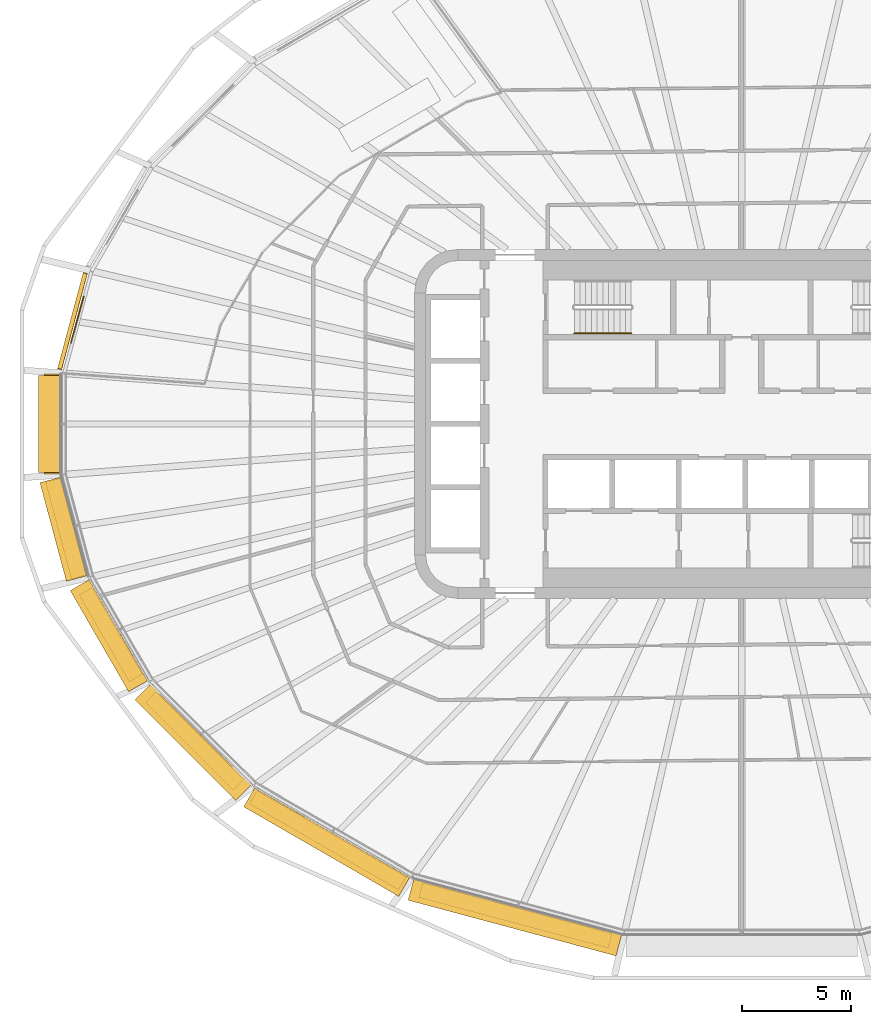
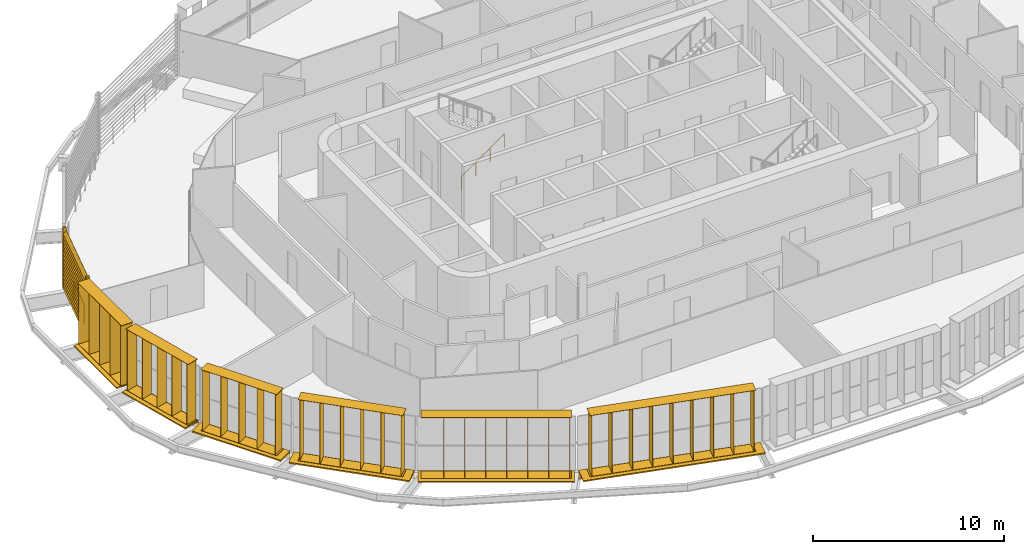
# One storey, part 18 of 23: 13 shading devices, 2 railings.
"""IFC4 building model written with IfcOpenShell, lengths in metres."""

from ifc_helpers import new_model, si_unit, direction, frame, origin, origin_2d, place, context, subcontext, project, spatial, rectangle, circle, extrude, material, type_object, element, save


model = new_model("IFC4")

# Units and contexts
model_context = context("Model", 3, precision=1e-05, world=origin(), true_north=direction((0.0, 1.0)))
body_context = subcontext(model_context, "Body", "Model", "MODEL_VIEW")
ifc_project = project(units=[si_unit("LENGTHUNIT", "METRE"), si_unit("AREAUNIT", "SQUARE_METRE"), si_unit("VOLUMEUNIT", "CUBIC_METRE"), si_unit("PLANEANGLEUNIT", "RADIAN"), si_unit("MASSUNIT", "GRAM", prefix="KILO")], contexts=[model_context])

# Site, building, storey
site_placement = place(None, origin())
site = spatial("IfcSite", under=ifc_project, at=site_placement, CompositionType="ELEMENT")
building_placement = place(site_placement, origin())
building = spatial("IfcBuilding", under=site, at=building_placement, Name="Sahrelin Media Tower", CompositionType="ELEMENT")
storey_placement = place(building_placement, frame((0.0, 0.0, 169.60009765625)))
storey = spatial("IfcBuildingStorey", under=building, at=storey_placement, Name="L35", CompositionType="ELEMENT", Elevation=169.60009765625)

# Shading devices
ifc_material_1 = material(Name="Champagne anodised aluminium 6063-T6", Category="aluminium")
shading_device_type_1 = type_object("IfcShadingDeviceType", Name="Fin cassette", PredefinedType="USERDEFINED", material=ifc_material_1)
placement_1 = place(storey_placement, frame((-31.216552734375, 0.0, 0.0), z_axis=(0.0, 0.0, 1.0), x_axis=(0.0, 1.0, 0.0)))
element("IfcShadingDevice", 1, at=placement_1, inside=storey, type_object=shading_device_type_1, Name="L35:FIN:L35-12", ObjectType="FIN", PredefinedType="USERDEFINED", context=body_context, shape_type="SweptSolid", body=[
    extrude(rectangle(XDim=4.60009765625, YDim=0.699951171875, at=origin_2d()), frame((0.0, 0.419921875, 0.0)), (0.0, 0.0, 1.0), 0.02001953125),
    extrude(rectangle(XDim=4.60009765625, YDim=0.699951171875, at=origin_2d()), frame((0.0, 0.419921875, 3.89990234375)), (0.0, 0.0, 1.0), 0.02001953125),
    extrude(rectangle(XDim=0.02001953125, YDim=0.699951171875, at=origin_2d()), frame((-2.199951171875, 0.419921875, 0.010009765625), z_axis=(0.0, 0.0, 1.0), x_axis=(1.0, 0.0, 0.0)), (0.0, 0.0, 1.0), 3.89990234375),
    extrude(rectangle(XDim=0.02001953125, YDim=0.699951171875, at=origin_2d()), frame((-1.10009765625, 0.419921875, 0.010009765625), z_axis=(0.0, 0.0, 1.0), x_axis=(1.0, 0.0, 0.0)), (0.0, 0.0, 1.0), 3.89990234375),
    extrude(rectangle(XDim=0.02001953125, YDim=0.699951171875, at=origin_2d()), frame((0.0, 0.419921875, 0.010009765625), z_axis=(0.0, 0.0, 1.0), x_axis=(1.0, 0.0, 0.0)), (0.0, 0.0, 1.0), 3.89990234375),
    extrude(rectangle(XDim=0.02001953125, YDim=0.699951171875, at=origin_2d()), frame((1.10009765625, 0.419921875, 0.010009765625), z_axis=(0.0, 0.0, 1.0), x_axis=(1.0, 0.0, 0.0)), (0.0, 0.0, 1.0), 3.89990234375),
    extrude(rectangle(XDim=0.02001953125, YDim=0.699951171875, at=origin_2d()), frame((2.199951171875, 0.419921875, 0.010009765625), z_axis=(0.0, 0.0, 1.0), x_axis=(1.0, 0.0, 0.0)), (0.0, 0.0, 1.0), 3.89990234375),
])
placement_2 = place(storey_placement, frame((-30.585205078125, -4.6884765625, 0.0), z_axis=(0.0, 0.0, 1.0), x_axis=(-0.258807731996, 0.965928857556, 0.0)))
element("IfcShadingDevice", 2, at=placement_2, inside=storey, type_object=shading_device_type_1, Name="L35:FIN:L35-13", ObjectType="FIN", PredefinedType="USERDEFINED", context=body_context, shape_type="SweptSolid", body=[
    extrude(rectangle(XDim=4.60009765625, YDim=0.699951171875, at=origin_2d()), frame((0.0, 0.419921875, 0.0)), (0.0, 0.0, 1.0), 0.02001953125),
    extrude(rectangle(XDim=4.60009765625, YDim=0.699951171875, at=origin_2d()), frame((0.0, 0.419921875, 3.89990234375)), (0.0, 0.0, 1.0), 0.02001953125),
    extrude(rectangle(XDim=0.02001953125, YDim=0.699951171875, at=origin_2d()), frame((-2.199951171875, 0.419921875, 0.010009765625), z_axis=(0.0, 0.0, 1.0), x_axis=(1.0, 0.0, 0.0)), (0.0, 0.0, 1.0), 3.89990234375),
    extrude(rectangle(XDim=0.02001953125, YDim=0.699951171875, at=origin_2d()), frame((-1.10009765625, 0.419921875, 0.010009765625), z_axis=(0.0, 0.0, 1.0), x_axis=(1.0, 0.0, 0.0)), (0.0, 0.0, 1.0), 3.89990234375),
    extrude(rectangle(XDim=0.02001953125, YDim=0.699951171875, at=origin_2d()), frame((0.0, 0.419921875, 0.010009765625), z_axis=(0.0, 0.0, 1.0), x_axis=(1.0, 0.0, 0.0)), (0.0, 0.0, 1.0), 3.89990234375),
    extrude(rectangle(XDim=0.02001953125, YDim=0.699951171875, at=origin_2d()), frame((1.10009765625, 0.419921875, 0.010009765625), z_axis=(0.0, 0.0, 1.0), x_axis=(1.0, 0.0, 0.0)), (0.0, 0.0, 1.0), 3.89990234375),
    extrude(rectangle(XDim=0.02001953125, YDim=0.699951171875, at=origin_2d()), frame((2.199951171875, 0.419921875, 0.010009765625), z_axis=(0.0, 0.0, 1.0), x_axis=(1.0, 0.0, 0.0)), (0.0, 0.0, 1.0), 3.89990234375),
])
placement_3 = place(storey_placement, frame((-28.566162109375, -9.4482421875, 0.0), z_axis=(0.0, 0.0, 1.0), x_axis=(-0.500011000363, 0.866019052629, 0.0)))
element("IfcShadingDevice", 3, at=placement_3, inside=storey, type_object=shading_device_type_1, Name="L35:FIN:L35-14", ObjectType="FIN", PredefinedType="USERDEFINED", context=body_context, shape_type="SweptSolid", body=[
    extrude(rectangle(XDim=4.60009765625, YDim=0.699951171875, at=origin_2d()), frame((0.0, 0.419921875, 0.0)), (0.0, 0.0, 1.0), 0.02001953125),
    extrude(rectangle(XDim=4.60009765625, YDim=0.699951171875, at=origin_2d()), frame((0.0, 0.419921875, 3.89990234375)), (0.0, 0.0, 1.0), 0.02001953125),
    extrude(rectangle(XDim=0.02001953125, YDim=0.699951171875, at=origin_2d()), frame((-2.199951171875, 0.419921875, 0.010009765625), z_axis=(0.0, 0.0, 1.0), x_axis=(1.0, 0.0, 0.0)), (0.0, 0.0, 1.0), 3.89990234375),
    extrude(rectangle(XDim=0.02001953125, YDim=0.699951171875, at=origin_2d()), frame((-1.10009765625, 0.419921875, 0.010009765625), z_axis=(0.0, 0.0, 1.0), x_axis=(1.0, 0.0, 0.0)), (0.0, 0.0, 1.0), 3.89990234375),
    extrude(rectangle(XDim=0.02001953125, YDim=0.699951171875, at=origin_2d()), frame((0.0, 0.419921875, 0.010009765625), z_axis=(0.0, 0.0, 1.0), x_axis=(1.0, 0.0, 0.0)), (0.0, 0.0, 1.0), 3.89990234375),
    extrude(rectangle(XDim=0.02001953125, YDim=0.699951171875, at=origin_2d()), frame((1.10009765625, 0.419921875, 0.010009765625), z_axis=(0.0, 0.0, 1.0), x_axis=(1.0, 0.0, 0.0)), (0.0, 0.0, 1.0), 3.89990234375),
    extrude(rectangle(XDim=0.02001953125, YDim=0.699951171875, at=origin_2d()), frame((2.199951171875, 0.419921875, 0.010009765625), z_axis=(0.0, 0.0, 1.0), x_axis=(1.0, 0.0, 0.0)), (0.0, 0.0, 1.0), 3.89990234375),
])
placement_4 = place(storey_placement, frame((-24.794189453125, -14.236083984375, 0.0), z_axis=(0.0, 0.0, 1.0), x_axis=(-0.707106781187, 0.707106781187, 0.0)))
element("IfcShadingDevice", 4, at=placement_4, inside=storey, type_object=shading_device_type_1, Name="L35:FIN:L35-15", ObjectType="FIN", PredefinedType="USERDEFINED", context=body_context, shape_type="SweptSolid", body=[
    extrude(rectangle(XDim=5.699951171875, YDim=0.699951171875, at=origin_2d()), frame((0.0, 0.419921875, 0.0)), (0.0, 0.0, 1.0), 0.02001953125),
    extrude(rectangle(XDim=5.699951171875, YDim=0.699951171875, at=origin_2d()), frame((0.0, 0.419921875, 3.89990234375)), (0.0, 0.0, 1.0), 0.02001953125),
    extrude(rectangle(XDim=0.02001953125, YDim=0.699951171875, at=origin_2d()), frame((-2.75, 0.419921875, 0.010009765625), z_axis=(0.0, 0.0, 1.0), x_axis=(1.0, 0.0, 0.0)), (0.0, 0.0, 1.0), 3.89990234375),
    extrude(rectangle(XDim=0.02001953125, YDim=0.699951171875, at=origin_2d()), frame((-1.64990234375, 0.419921875, 0.010009765625), z_axis=(0.0, 0.0, 1.0), x_axis=(1.0, 0.0, 0.0)), (0.0, 0.0, 1.0), 3.89990234375),
    extrude(rectangle(XDim=0.02001953125, YDim=0.699951171875, at=origin_2d()), frame((-0.550048828125, 0.419921875, 0.010009765625), z_axis=(0.0, 0.0, 1.0), x_axis=(1.0, 0.0, 0.0)), (0.0, 0.0, 1.0), 3.89990234375),
    extrude(rectangle(XDim=0.02001953125, YDim=0.699951171875, at=origin_2d()), frame((0.550048828125, 0.419921875, 0.010009765625), z_axis=(0.0, 0.0, 1.0), x_axis=(1.0, 0.0, 0.0)), (0.0, 0.0, 1.0), 3.89990234375),
    extrude(rectangle(XDim=0.02001953125, YDim=0.699951171875, at=origin_2d()), frame((1.64990234375, 0.419921875, 0.010009765625), z_axis=(0.0, 0.0, 1.0), x_axis=(1.0, 0.0, 0.0)), (0.0, 0.0, 1.0), 3.89990234375),
    extrude(rectangle(XDim=0.02001953125, YDim=0.699951171875, at=origin_2d()), frame((2.75, 0.419921875, 0.010009765625), z_axis=(0.0, 0.0, 1.0), x_axis=(1.0, 0.0, 0.0)), (0.0, 0.0, 1.0), 3.89990234375),
])
placement_5 = place(storey_placement, frame((-18.77099609375, -18.72119140625, 0.0), z_axis=(0.0, 0.0, 1.0), x_axis=(-0.866019052629, 0.500011000363, 0.0)))
element("IfcShadingDevice", 5, at=placement_5, inside=storey, type_object=shading_device_type_1, Name="L35:FIN:L35-16", ObjectType="FIN", PredefinedType="USERDEFINED", context=body_context, shape_type="SweptSolid", body=[
    extrude(rectangle(XDim=7.89990234375, YDim=0.699951171875, at=origin_2d()), frame((0.0, 0.419921875, 0.0)), (0.0, 0.0, 1.0), 0.02001953125),
    extrude(rectangle(XDim=7.89990234375, YDim=0.699951171875, at=origin_2d()), frame((0.0, 0.419921875, 3.89990234375)), (0.0, 0.0, 1.0), 0.02001953125),
    extrude(rectangle(XDim=0.02001953125, YDim=0.699951171875, at=origin_2d()), frame((-3.85009765625, 0.419921875, 0.010009765625), z_axis=(0.0, 0.0, 1.0), x_axis=(1.0, 0.0, 0.0)), (0.0, 0.0, 1.0), 3.89990234375),
    extrude(rectangle(XDim=0.02001953125, YDim=0.699951171875, at=origin_2d()), frame((-2.75, 0.419921875, 0.010009765625), z_axis=(0.0, 0.0, 1.0), x_axis=(1.0, 0.0, 0.0)), (0.0, 0.0, 1.0), 3.89990234375),
    extrude(rectangle(XDim=0.02001953125, YDim=0.699951171875, at=origin_2d()), frame((-1.64990234375, 0.419921875, 0.010009765625), z_axis=(0.0, 0.0, 1.0), x_axis=(1.0, 0.0, 0.0)), (0.0, 0.0, 1.0), 3.89990234375),
    extrude(rectangle(XDim=0.02001953125, YDim=0.699951171875, at=origin_2d()), frame((-0.550048828125, 0.419921875, 0.010009765625), z_axis=(0.0, 0.0, 1.0), x_axis=(1.0, 0.0, 0.0)), (0.0, 0.0, 1.0), 3.89990234375),
    extrude(rectangle(XDim=0.02001953125, YDim=0.699951171875, at=origin_2d()), frame((0.550048828125, 0.419921875, 0.010009765625), z_axis=(0.0, 0.0, 1.0), x_axis=(1.0, 0.0, 0.0)), (0.0, 0.0, 1.0), 3.89990234375),
    extrude(rectangle(XDim=0.02001953125, YDim=0.699951171875, at=origin_2d()), frame((1.64990234375, 0.419921875, 0.010009765625), z_axis=(0.0, 0.0, 1.0), x_axis=(1.0, 0.0, 0.0)), (0.0, 0.0, 1.0), 3.89990234375),
    extrude(rectangle(XDim=0.02001953125, YDim=0.699951171875, at=origin_2d()), frame((2.75, 0.419921875, 0.010009765625), z_axis=(0.0, 0.0, 1.0), x_axis=(1.0, 0.0, 0.0)), (0.0, 0.0, 1.0), 3.89990234375),
    extrude(rectangle(XDim=0.02001953125, YDim=0.699951171875, at=origin_2d()), frame((3.85009765625, 0.419921875, 0.010009765625), z_axis=(0.0, 0.0, 1.0), x_axis=(1.0, 0.0, 0.0)), (0.0, 0.0, 1.0), 3.89990234375),
])
placement_6 = place(storey_placement, frame((-10.268798828125, -22.125244140625, 0.0), z_axis=(0.0, 0.0, 1.0), x_axis=(-0.965928857556, 0.258807731996, 0.0)))
element("IfcShadingDevice", 6, at=placement_6, inside=storey, type_object=shading_device_type_1, Name="L35:FIN:L35-17", ObjectType="FIN", PredefinedType="USERDEFINED", context=body_context, shape_type="SweptSolid", body=[
    extrude(rectangle(XDim=9.0, YDim=0.699951171875, at=origin_2d()), frame((0.0, 0.419921875, 0.0)), (0.0, 0.0, 1.0), 0.02001953125),
    extrude(rectangle(XDim=9.0, YDim=0.699951171875, at=origin_2d()), frame((0.0, 0.419921875, 3.89990234375)), (0.0, 0.0, 1.0), 0.02001953125),
    extrude(rectangle(XDim=0.02001953125, YDim=0.699951171875, at=origin_2d()), frame((-4.39990234375, 0.419921875, 0.010009765625), z_axis=(0.0, 0.0, 1.0), x_axis=(1.0, 0.0, 0.0)), (0.0, 0.0, 1.0), 3.89990234375),
    extrude(rectangle(XDim=0.02001953125, YDim=0.699951171875, at=origin_2d()), frame((-3.300048828125, 0.419921875, 0.010009765625), z_axis=(0.0, 0.0, 1.0), x_axis=(1.0, 0.0, 0.0)), (0.0, 0.0, 1.0), 3.89990234375),
    extrude(rectangle(XDim=0.02001953125, YDim=0.699951171875, at=origin_2d()), frame((-2.199951171875, 0.419921875, 0.010009765625), z_axis=(0.0, 0.0, 1.0), x_axis=(1.0, 0.0, 0.0)), (0.0, 0.0, 1.0), 3.89990234375),
    extrude(rectangle(XDim=0.02001953125, YDim=0.699951171875, at=origin_2d()), frame((-1.10009765625, 0.419921875, 0.010009765625), z_axis=(0.0, 0.0, 1.0), x_axis=(1.0, 0.0, 0.0)), (0.0, 0.0, 1.0), 3.89990234375),
    extrude(rectangle(XDim=0.02001953125, YDim=0.699951171875, at=origin_2d()), frame((0.0, 0.419921875, 0.010009765625), z_axis=(0.0, 0.0, 1.0), x_axis=(1.0, 0.0, 0.0)), (0.0, 0.0, 1.0), 3.89990234375),
    extrude(rectangle(XDim=0.02001953125, YDim=0.699951171875, at=origin_2d()), frame((1.10009765625, 0.419921875, 0.010009765625), z_axis=(0.0, 0.0, 1.0), x_axis=(1.0, 0.0, 0.0)), (0.0, 0.0, 1.0), 3.89990234375),
    extrude(rectangle(XDim=0.02001953125, YDim=0.699951171875, at=origin_2d()), frame((2.199951171875, 0.419921875, 0.010009765625), z_axis=(0.0, 0.0, 1.0), x_axis=(1.0, 0.0, 0.0)), (0.0, 0.0, 1.0), 3.89990234375),
    extrude(rectangle(XDim=0.02001953125, YDim=0.699951171875, at=origin_2d()), frame((3.300048828125, 0.419921875, 0.010009765625), z_axis=(0.0, 0.0, 1.0), x_axis=(1.0, 0.0, 0.0)), (0.0, 0.0, 1.0), 3.89990234375),
    extrude(rectangle(XDim=0.02001953125, YDim=0.699951171875, at=origin_2d()), frame((4.39990234375, 0.419921875, 0.010009765625), z_axis=(0.0, 0.0, 1.0), x_axis=(1.0, 0.0, 0.0)), (0.0, 0.0, 1.0), 3.89990234375),
])
shading_device_type_2 = type_object("IfcShadingDeviceType", Name="Garden screen", PredefinedType="USERDEFINED", material=ifc_material_1)
shading_device_7_placement = place(storey_placement, frame((-30.585205078125, 4.6884765625, 0.0), z_axis=(0.0, 0.0, 1.0), x_axis=(0.258807731996, 0.965928857556, 0.0)))
element("IfcShadingDevice", 7, at=shading_device_7_placement, inside=storey, type_object=shading_device_type_2, Name="L35:SCREEN:L35-11", ObjectType="SCREEN", PredefinedType="USERDEFINED", context=body_context, shape_type="SweptSolid", body=[
    extrude(rectangle(XDim=0.1201171875, YDim=0.199951171875, at=origin_2d()), frame((2.329345703125, 0.10009765625, 0.050048828125), z_axis=(0.0, 0.0, 1.0), x_axis=(1.0, 0.0, 0.0)), (0.0, 0.0, 1.0), 3.89990234375),
    extrude(rectangle(XDim=0.1201171875, YDim=0.199951171875, at=origin_2d()), frame((-2.329345703125, 0.10009765625, 0.050048828125), z_axis=(0.0, 0.0, 1.0), x_axis=(1.0, 0.0, 0.0)), (0.0, 0.0, 1.0), 3.89990234375),
    extrude(rectangle(XDim=0.25, YDim=0.02001953125, at=origin_2d()), frame((2.269287109375, 0.10009765625, 0.14990234375), z_axis=(-1.0, 0.0, 0.0), x_axis=(0.0, -0.766044443119, 0.642787609687)), (0.0, 0.0, 1.0), 4.53857421875),
    extrude(rectangle(XDim=0.25, YDim=0.02001953125, at=origin_2d()), frame((2.269287109375, 0.10009765625, 0.39990234375), z_axis=(-1.0, 0.0, 0.0), x_axis=(0.0, -0.766044443119, 0.642787609687)), (0.0, 0.0, 1.0), 4.53857421875),
    extrude(rectangle(XDim=0.25, YDim=0.02001953125, at=origin_2d()), frame((2.269287109375, 0.10009765625, 0.64990234375), z_axis=(-1.0, 0.0, 0.0), x_axis=(0.0, -0.766044443119, 0.642787609687)), (0.0, 0.0, 1.0), 4.53857421875),
    extrude(rectangle(XDim=0.25, YDim=0.02001953125, at=origin_2d()), frame((2.269287109375, 0.10009765625, 0.89990234375), z_axis=(-1.0, 0.0, 0.0), x_axis=(0.0, -0.766044443119, 0.642787609687)), (0.0, 0.0, 1.0), 4.53857421875),
    extrude(rectangle(XDim=0.25, YDim=0.02001953125, at=origin_2d()), frame((2.269287109375, 0.10009765625, 1.14990234375), z_axis=(-1.0, 0.0, 0.0), x_axis=(0.0, -0.766044443119, 0.642787609687)), (0.0, 0.0, 1.0), 4.53857421875),
    extrude(rectangle(XDim=0.25, YDim=0.02001953125, at=origin_2d()), frame((2.269287109375, 0.10009765625, 1.39990234375), z_axis=(-1.0, 0.0, 0.0), x_axis=(0.0, -0.766044443119, 0.642787609687)), (0.0, 0.0, 1.0), 4.53857421875),
    extrude(rectangle(XDim=0.25, YDim=0.02001953125, at=origin_2d()), frame((2.269287109375, 0.10009765625, 1.64990234375), z_axis=(-1.0, 0.0, 0.0), x_axis=(0.0, -0.766044443119, 0.642787609687)), (0.0, 0.0, 1.0), 4.53857421875),
    extrude(rectangle(XDim=0.25, YDim=0.02001953125, at=origin_2d()), frame((2.269287109375, 0.10009765625, 1.89990234375), z_axis=(-1.0, 0.0, 0.0), x_axis=(0.0, -0.766044443119, 0.642787609687)), (0.0, 0.0, 1.0), 4.53857421875),
    extrude(rectangle(XDim=0.25, YDim=0.02001953125, at=origin_2d()), frame((2.269287109375, 0.10009765625, 2.14990234375), z_axis=(-1.0, 0.0, 0.0), x_axis=(0.0, -0.766044443119, 0.642787609687)), (0.0, 0.0, 1.0), 4.53857421875),
    extrude(rectangle(XDim=0.25, YDim=0.02001953125, at=origin_2d()), frame((2.269287109375, 0.10009765625, 2.39990234375), z_axis=(-1.0, 0.0, 0.0), x_axis=(0.0, -0.766044443119, 0.642787609687)), (0.0, 0.0, 1.0), 4.53857421875),
    extrude(rectangle(XDim=0.25, YDim=0.02001953125, at=origin_2d()), frame((2.269287109375, 0.10009765625, 2.64990234375), z_axis=(-1.0, 0.0, 0.0), x_axis=(0.0, -0.766044443119, 0.642787609687)), (0.0, 0.0, 1.0), 4.53857421875),
    extrude(rectangle(XDim=0.25, YDim=0.02001953125, at=origin_2d()), frame((2.269287109375, 0.10009765625, 2.89990234375), z_axis=(-1.0, 0.0, 0.0), x_axis=(0.0, -0.766044443119, 0.642787609687)), (0.0, 0.0, 1.0), 4.53857421875),
    extrude(rectangle(XDim=0.25, YDim=0.02001953125, at=origin_2d()), frame((2.269287109375, 0.10009765625, 3.14990234375), z_axis=(-1.0, 0.0, 0.0), x_axis=(0.0, -0.766044443119, 0.642787609687)), (0.0, 0.0, 1.0), 4.53857421875),
    extrude(rectangle(XDim=0.25, YDim=0.02001953125, at=origin_2d()), frame((2.269287109375, 0.10009765625, 3.39990234375), z_axis=(-1.0, 0.0, 0.0), x_axis=(0.0, -0.766044443119, 0.642787609687)), (0.0, 0.0, 1.0), 4.53857421875),
    extrude(rectangle(XDim=0.25, YDim=0.02001953125, at=origin_2d()), frame((2.269287109375, 0.10009765625, 3.64990234375), z_axis=(-1.0, 0.0, 0.0), x_axis=(0.0, -0.766044443119, 0.642787609687)), (0.0, 0.0, 1.0), 4.53857421875),
])

# Railings
ifc_material_2 = material(Name="Stainless steel 316", Category="steel")
railing_type_1 = type_object("IfcRailingType", Name="Sky garden guard", PredefinedType="GUARDRAIL", material=ifc_material_2)
railing_1_placement = place(storey_placement, frame((-30.1748046875, 5.839599609375, 0.0)))
element("IfcRailing", 8, at=railing_1_placement, inside=storey, type_object=railing_type_1, Name="Sky garden guard G3-4", PredefinedType="GUARDRAIL", context=body_context, shape_type="SweptSolid", body=[
    extrude(circle(Radius=0.02392578125, at=origin_2d()), frame((0.0, 0.0, 1.17578125), z_axis=(-0.265277781175, -0.964172027604, 0.0), x_axis=(0.964172027604, -0.265277781175, 0.0)), (0.0, 0.0, 1.0), 2.19873046875),
    extrude(circle(Radius=0.02099609375, at=origin_2d()), origin(), (0.0, 0.0, 1.0), 1.15185546875),
    extrude(circle(Radius=0.02099609375, at=origin_2d()), frame((-0.29150390625, -1.06005859375, 0.0)), (0.0, 0.0, 1.0), 1.15185546875),
    extrude(circle(Radius=0.02099609375, at=origin_2d()), frame((-0.583251953125, -2.119873046875, 0.0)), (0.0, 0.0, 1.0), 1.15185546875),
])
ifc_material_3 = material(Name="Steel S355", Category="steel")
railing_type_2 = type_object("IfcRailingType", Name="Stair handrail 900", PredefinedType="HANDRAIL", material=ifc_material_3)
railing_2_placement = place(storey_placement, frame((-7.675048828125, 4.14990234375, 0.181640625)))
element("IfcRailing", 9, at=railing_2_placement, inside=storey, type_object=railing_type_2, Name="L35 ST1 stair handrail 1", PredefinedType="HANDRAIL", context=body_context, shape_type="SweptSolid", body=[
    extrude(circle(Radius=0.02392578125, at=origin_2d()), frame((0.0, 0.0, 0.8759765625), z_axis=(0.819484887739, 0.0, 0.573100792852), x_axis=(0.0, 1.0, 0.0)), (0.0, 0.0, 1.0), 3.1728515625),
    extrude(circle(Radius=0.02099609375, at=origin_2d()), origin(), (0.0, 0.0, 1.0), 0.851806640625),
    extrude(circle(Radius=0.02099609375, at=origin_2d()), frame((0.86669921875, 0.0, 0.606201171875)), (0.0, 0.0, 1.0), 0.851806640625),
    extrude(circle(Radius=0.02099609375, at=origin_2d()), frame((1.7333984375, 0.0, 1.212158203125)), (0.0, 0.0, 1.0), 0.851806640625),
    extrude(circle(Radius=0.02099609375, at=origin_2d()), frame((2.60009765625, 0.0, 1.818359375)), (0.0, 0.0, 1.0), 0.851806640625),
])

# Shading devices
shading_device_type_3 = type_object("IfcShadingDeviceType", Name="Sunshade band", PredefinedType="USERDEFINED", material=ifc_material_1)
element("IfcShadingDevice", 10, at=placement_1, inside=storey, type_object=shading_device_type_3, Name="L35:SUN:L35-12", ObjectType="SUNSHADE", PredefinedType="USERDEFINED", context=body_context, shape_type="SweptSolid", body=[
    extrude(rectangle(XDim=4.46484375, YDim=0.050048828125, at=origin_2d()), frame((0.0, 0.044921875, -0.55126953125)), (0.0, 0.0, 1.0), 0.471435546875),
    extrude(rectangle(XDim=4.46484375, YDim=1.0, at=origin_2d()), frame((0.0, 0.52001953125, -0.080078125)), (0.0, 0.0, 1.0), 0.080078125),
    extrude(rectangle(XDim=0.10009765625, YDim=0.074951171875, at=origin_2d()), frame((-2.13232421875, -0.017578125, -0.47021484375)), (0.0, 0.0, 1.0), 0.300048828125),
    extrude(rectangle(XDim=0.10009765625, YDim=0.074951171875, at=origin_2d()), frame((-0.710693359375, -0.017578125, -0.47021484375)), (0.0, 0.0, 1.0), 0.300048828125),
    extrude(rectangle(XDim=0.10009765625, YDim=0.074951171875, at=origin_2d()), frame((0.710693359375, -0.017578125, -0.47021484375)), (0.0, 0.0, 1.0), 0.300048828125),
    extrude(rectangle(XDim=0.10009765625, YDim=0.074951171875, at=origin_2d()), frame((2.13232421875, -0.017578125, -0.47021484375)), (0.0, 0.0, 1.0), 0.300048828125),
])
element("IfcShadingDevice", 11, at=placement_2, inside=storey, type_object=shading_device_type_3, Name="L35:SUN:L35-13", ObjectType="SUNSHADE", PredefinedType="USERDEFINED", context=body_context, shape_type="SweptSolid", body=[
    extrude(rectangle(XDim=4.678466796875, YDim=0.050048828125, at=origin_2d()), frame((0.0, 0.044921875, -0.55126953125)), (0.0, 0.0, 1.0), 0.471435546875),
    extrude(rectangle(XDim=4.678466796875, YDim=1.0, at=origin_2d()), frame((0.0, 0.52001953125, -0.080078125)), (0.0, 0.0, 1.0), 0.080078125),
    extrude(rectangle(XDim=0.10009765625, YDim=0.074951171875, at=origin_2d()), frame((-2.2392578125, -0.017578125, -0.47021484375)), (0.0, 0.0, 1.0), 0.300048828125),
    extrude(rectangle(XDim=0.10009765625, YDim=0.074951171875, at=origin_2d()), frame((-0.746337890625, -0.017578125, -0.47021484375)), (0.0, 0.0, 1.0), 0.300048828125),
    extrude(rectangle(XDim=0.10009765625, YDim=0.074951171875, at=origin_2d()), frame((0.746337890625, -0.017578125, -0.47021484375)), (0.0, 0.0, 1.0), 0.300048828125),
    extrude(rectangle(XDim=0.10009765625, YDim=0.074951171875, at=origin_2d()), frame((2.2392578125, -0.017578125, -0.47021484375)), (0.0, 0.0, 1.0), 0.300048828125),
])
element("IfcShadingDevice", 12, at=placement_3, inside=storey, type_object=shading_device_type_3, Name="L35:SUN:L35-14", ObjectType="SUNSHADE", PredefinedType="USERDEFINED", context=body_context, shape_type="SweptSolid", body=[
    extrude(rectangle(XDim=5.350830078125, YDim=0.050048828125, at=origin_2d()), frame((0.0, 0.044921875, -0.55126953125)), (0.0, 0.0, 1.0), 0.471435546875),
    extrude(rectangle(XDim=5.350830078125, YDim=1.0, at=origin_2d()), frame((0.0, 0.52001953125, -0.080078125)), (0.0, 0.0, 1.0), 0.080078125),
    extrude(rectangle(XDim=0.10009765625, YDim=0.074951171875, at=origin_2d()), frame((-2.575439453125, -0.017578125, -0.47021484375)), (0.0, 0.0, 1.0), 0.300048828125),
    extrude(rectangle(XDim=0.10009765625, YDim=0.074951171875, at=origin_2d()), frame((-0.8583984375, -0.017578125, -0.47021484375)), (0.0, 0.0, 1.0), 0.300048828125),
    extrude(rectangle(XDim=0.10009765625, YDim=0.074951171875, at=origin_2d()), frame((0.8583984375, -0.017578125, -0.47021484375)), (0.0, 0.0, 1.0), 0.300048828125),
    extrude(rectangle(XDim=0.10009765625, YDim=0.074951171875, at=origin_2d()), frame((2.575439453125, -0.017578125, -0.47021484375)), (0.0, 0.0, 1.0), 0.300048828125),
])
element("IfcShadingDevice", 13, at=placement_4, inside=storey, type_object=shading_device_type_3, Name="L35:SUN:L35-15", ObjectType="SUNSHADE", PredefinedType="USERDEFINED", context=body_context, shape_type="SweptSolid", body=[
    extrude(rectangle(XDim=6.54345703125, YDim=0.050048828125, at=origin_2d()), frame((0.0, 0.044921875, -0.55126953125)), (0.0, 0.0, 1.0), 0.471435546875),
    extrude(rectangle(XDim=6.54345703125, YDim=1.0, at=origin_2d()), frame((0.0, 0.52001953125, -0.080078125)), (0.0, 0.0, 1.0), 0.080078125),
    extrude(rectangle(XDim=0.10009765625, YDim=0.074951171875, at=origin_2d()), frame((-3.171875, -0.017578125, -0.47021484375)), (0.0, 0.0, 1.0), 0.300048828125),
    extrude(rectangle(XDim=0.10009765625, YDim=0.074951171875, at=origin_2d()), frame((-1.5859375, -0.017578125, -0.47021484375)), (0.0, 0.0, 1.0), 0.300048828125),
    extrude(rectangle(XDim=0.10009765625, YDim=0.074951171875, at=origin_2d()), frame((0.0, -0.017578125, -0.47021484375)), (0.0, 0.0, 1.0), 0.300048828125),
    extrude(rectangle(XDim=0.10009765625, YDim=0.074951171875, at=origin_2d()), frame((1.5859375, -0.017578125, -0.47021484375)), (0.0, 0.0, 1.0), 0.300048828125),
    extrude(rectangle(XDim=0.10009765625, YDim=0.074951171875, at=origin_2d()), frame((3.171875, -0.017578125, -0.47021484375)), (0.0, 0.0, 1.0), 0.300048828125),
])
element("IfcShadingDevice", 14, at=placement_5, inside=storey, type_object=shading_device_type_3, Name="L35:SUN:L35-16", ObjectType="SUNSHADE", PredefinedType="USERDEFINED", context=body_context, shape_type="SweptSolid", body=[
    extrude(rectangle(XDim=8.203857421875, YDim=0.050048828125, at=origin_2d()), frame((0.0, 0.044921875, -0.55126953125)), (0.0, 0.0, 1.0), 0.471435546875),
    extrude(rectangle(XDim=8.203857421875, YDim=1.0, at=origin_2d()), frame((0.0, 0.52001953125, -0.080078125)), (0.0, 0.0, 1.0), 0.080078125),
    extrude(rectangle(XDim=0.10009765625, YDim=0.074951171875, at=origin_2d()), frame((-4.001953125, -0.017578125, -0.47021484375)), (0.0, 0.0, 1.0), 0.300048828125),
    extrude(rectangle(XDim=0.10009765625, YDim=0.074951171875, at=origin_2d()), frame((-2.401123046875, -0.017578125, -0.47021484375)), (0.0, 0.0, 1.0), 0.300048828125),
    extrude(rectangle(XDim=0.10009765625, YDim=0.074951171875, at=origin_2d()), frame((-0.80029296875, -0.017578125, -0.47021484375)), (0.0, 0.0, 1.0), 0.300048828125),
    extrude(rectangle(XDim=0.10009765625, YDim=0.074951171875, at=origin_2d()), frame((0.80029296875, -0.017578125, -0.47021484375)), (0.0, 0.0, 1.0), 0.300048828125),
    extrude(rectangle(XDim=0.10009765625, YDim=0.074951171875, at=origin_2d()), frame((2.401123046875, -0.017578125, -0.47021484375)), (0.0, 0.0, 1.0), 0.300048828125),
    extrude(rectangle(XDim=0.10009765625, YDim=0.074951171875, at=origin_2d()), frame((4.001953125, -0.017578125, -0.47021484375)), (0.0, 0.0, 1.0), 0.300048828125),
])
element("IfcShadingDevice", 15, at=placement_6, inside=storey, type_object=shading_device_type_3, Name="L35:SUN:L35-17", ObjectType="SUNSHADE", PredefinedType="USERDEFINED", context=body_context, shape_type="SweptSolid", body=[
    extrude(rectangle(XDim=9.86962890625, YDim=0.050048828125, at=origin_2d()), frame((0.0, 0.044921875, -0.55126953125)), (0.0, 0.0, 1.0), 0.471435546875),
    extrude(rectangle(XDim=9.86962890625, YDim=1.0, at=origin_2d()), frame((0.0, 0.52001953125, -0.080078125)), (0.0, 0.0, 1.0), 0.080078125),
    extrude(rectangle(XDim=0.10009765625, YDim=0.074951171875, at=origin_2d()), frame((-4.8349609375, -0.017578125, -0.47021484375)), (0.0, 0.0, 1.0), 0.300048828125),
    extrude(rectangle(XDim=0.10009765625, YDim=0.074951171875, at=origin_2d()), frame((-2.90087890625, -0.017578125, -0.47021484375)), (0.0, 0.0, 1.0), 0.300048828125),
    extrude(rectangle(XDim=0.10009765625, YDim=0.074951171875, at=origin_2d()), frame((-0.967041015625, -0.017578125, -0.47021484375)), (0.0, 0.0, 1.0), 0.300048828125),
    extrude(rectangle(XDim=0.10009765625, YDim=0.074951171875, at=origin_2d()), frame((0.967041015625, -0.017578125, -0.47021484375)), (0.0, 0.0, 1.0), 0.300048828125),
    extrude(rectangle(XDim=0.10009765625, YDim=0.074951171875, at=origin_2d()), frame((2.90087890625, -0.017578125, -0.47021484375)), (0.0, 0.0, 1.0), 0.300048828125),
    extrude(rectangle(XDim=0.10009765625, YDim=0.074951171875, at=origin_2d()), frame((4.8349609375, -0.017578125, -0.47021484375)), (0.0, 0.0, 1.0), 0.300048828125),
])

save(model, "model.ifc")
